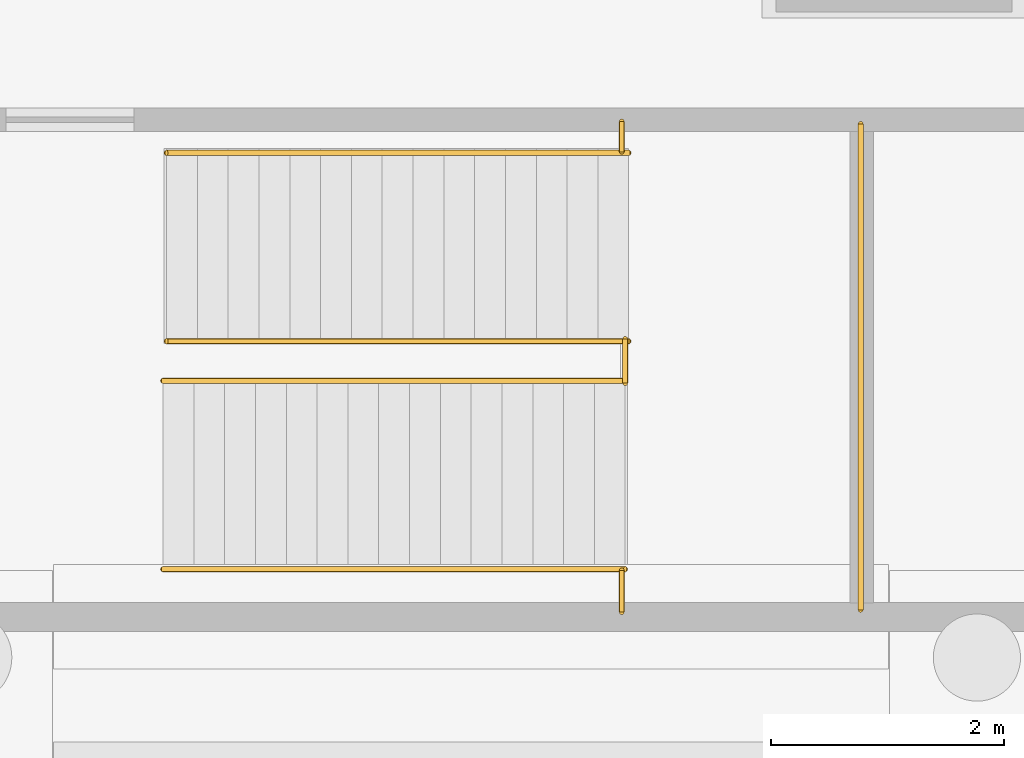
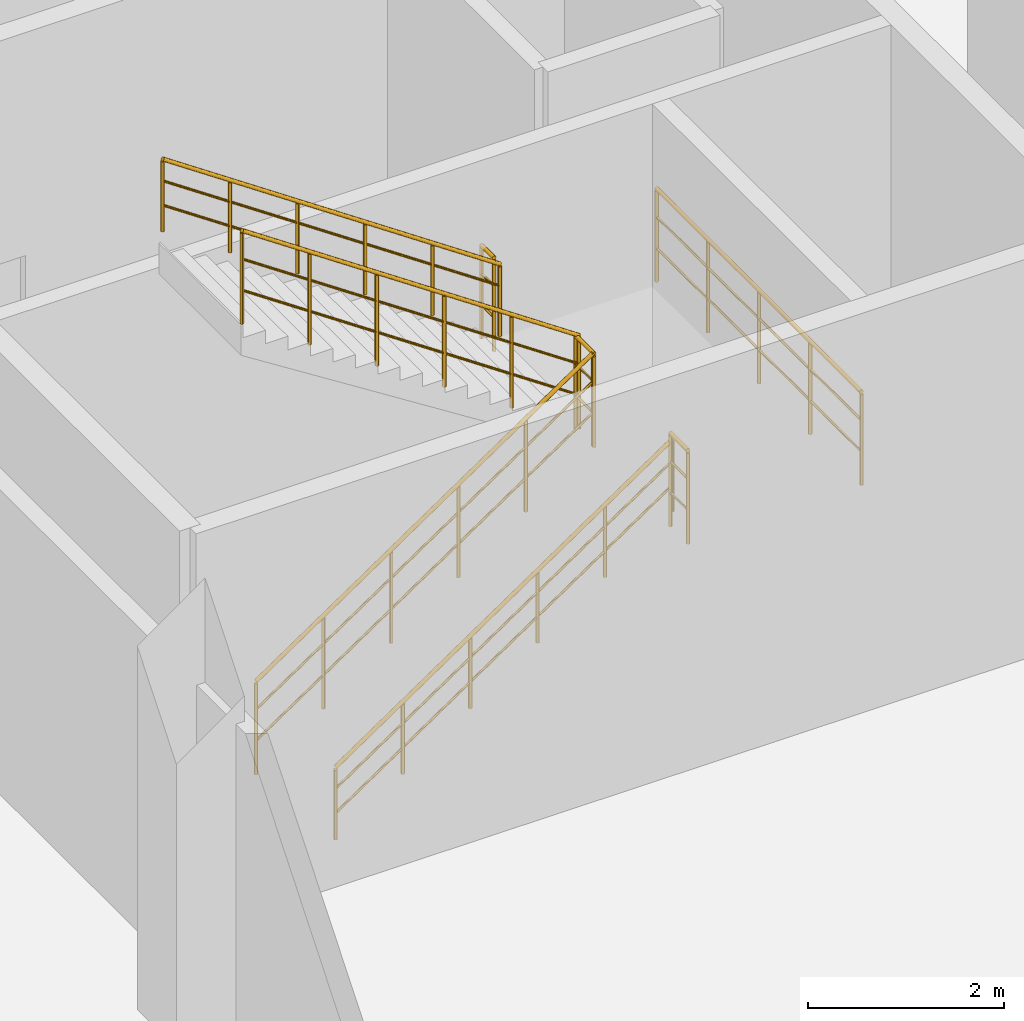
# One storey, part 37 of 42: 8 railings.
"""IFC4 building model written with IfcOpenShell, lengths in metres."""

from ifc_helpers import new_model, si_unit, direction, frame, origin, origin_2d, place, context, subcontext, project, spatial, circle, extrude, material, layer, layer_set, type_object, element, save


model = new_model("IFC4")

# Units and contexts
model_context = context("Model", 3, precision=1e-05, world=origin(), true_north=direction((0.0, 1.0)))
body_context = subcontext(model_context, "Body", "Model", "MODEL_VIEW")
ifc_project = project(units=[si_unit("LENGTHUNIT", "METRE"), si_unit("AREAUNIT", "SQUARE_METRE"), si_unit("VOLUMEUNIT", "CUBIC_METRE"), si_unit("PLANEANGLEUNIT", "RADIAN"), si_unit("MASSUNIT", "GRAM", prefix="KILO"), si_unit("THERMODYNAMICTEMPERATUREUNIT", "KELVIN"), si_unit("POWERUNIT", "WATT")], contexts=[model_context])

# Site, building, storey
site_placement = place(None, origin())
site = spatial("IfcSite", under=ifc_project, at=site_placement, CompositionType="ELEMENT")
building_placement = place(site_placement, origin())
building = spatial("IfcBuilding", under=site, at=building_placement, Name="Solmara Park Aquatics Centre", CompositionType="ELEMENT")
storey_placement = place(building_placement, frame((0.0, 0.0, -5.39990234375)))
storey = spatial("IfcBuildingStorey", under=building, at=storey_placement, Name="B1", CompositionType="ELEMENT", Elevation=-5.39990234375)

# Railings
ifc_material_1 = material(Name="Brushed Marine-Grade Stainless Steel 316L Handrail", Category="steel")
ifc_layer_1 = layer(ifc_material_1, 0.044921875, Name="Brushed Marine-Grade Stainless Steel 316L Handrail")
ifc_layer_set_1 = layer_set([ifc_layer_1], Name="Brushed Marine-Grade Stainless Steel 316L Handrail")
railing_type_1 = type_object("IfcRailingType", Name="ARC-RL-HND090", PredefinedType="HANDRAIL", material=ifc_layer_set_1)
railing_1_placement = place(storey_placement, frame((111.949951171875, 38.409912109375, 0.168701171875)))
element("IfcRailing", 1, at=railing_1_placement, inside=storey, type_object=railing_type_1, Name="ST-03 Protected Exit Stair (B1 to L00) Flight 1 Outer Handrail", PredefinedType="HANDRAIL", context=body_context, shape_type="SweptSolid", body=[
    extrude(circle(Radius=0.02392578125, at=origin_2d()), frame((0.0, 0.0, 0.89599609375), z_axis=(0.827227830126, 0.0, 0.561866636369), x_axis=(0.0, 1.0, 0.0)), (0.0, 0.0, 1.0), 4.805419921875),
    extrude(circle(Radius=0.01416015625, at=origin_2d()), frame((0.0, 0.0, 0.322021484375), z_axis=(0.827227830126, 0.0, 0.561866636369), x_axis=(0.0, 1.0, 0.0)), (0.0, 0.0, 1.0), 4.805419921875),
    extrude(circle(Radius=0.01416015625, at=origin_2d()), frame((0.0, 0.0, 0.62548828125), z_axis=(0.827227830126, 0.0, 0.561866636369), x_axis=(0.0, 1.0, 0.0)), (0.0, 0.0, 1.0), 4.805419921875),
    extrude(circle(Radius=0.02099609375, at=origin_2d()), origin(), (0.0, 0.0, 1.0), 0.871826171875),
    extrude(circle(Radius=0.02099609375, at=origin_2d()), frame((0.794921875, 0.0, 0.5400390625)), (0.0, 0.0, 1.0), 0.871826171875),
    extrude(circle(Radius=0.02099609375, at=origin_2d()), frame((1.590087890625, 0.0, 1.080078125)), (0.0, 0.0, 1.0), 0.871826171875),
    extrude(circle(Radius=0.02099609375, at=origin_2d()), frame((2.385009765625, 0.0, 1.619873046875)), (0.0, 0.0, 1.0), 0.871826171875),
    extrude(circle(Radius=0.02099609375, at=origin_2d()), frame((3.18017578125, 0.0, 2.159912109375)), (0.0, 0.0, 1.0), 0.871826171875),
    extrude(circle(Radius=0.02099609375, at=origin_2d()), frame((3.97509765625, 0.0, 2.699951171875)), (0.0, 0.0, 1.0), 0.871826171875),
])
railing_2_placement = place(storey_placement, frame((115.955078125, 41.989990234375, 2.86865234375)))
element("IfcRailing", 2, at=railing_2_placement, inside=storey, type_object=railing_type_1, Name="ST-03 Protected Exit Stair (B1 to L00) Flight 2 Outer Handrail", PredefinedType="HANDRAIL", context=body_context, shape_type="SweptSolid", body=[
    extrude(circle(Radius=0.02392578125, at=origin_2d()), frame((0.0, 0.0, 0.89599609375), z_axis=(-0.827227830126, 0.0, 0.561866636369), x_axis=(0.0, -1.0, 0.0)), (0.0, 0.0, 1.0), 4.805419921875),
    extrude(circle(Radius=0.01416015625, at=origin_2d()), frame((0.0, 0.0, 0.322021484375), z_axis=(-0.827227830126, 0.0, 0.561866636369), x_axis=(0.0, -1.0, 0.0)), (0.0, 0.0, 1.0), 4.805419921875),
    extrude(circle(Radius=0.01416015625, at=origin_2d()), frame((0.0, 0.0, 0.62548828125), z_axis=(-0.827227830126, 0.0, 0.561866636369), x_axis=(0.0, -1.0, 0.0)), (0.0, 0.0, 1.0), 4.805419921875),
    extrude(circle(Radius=0.02099609375, at=origin_2d()), origin(), (0.0, 0.0, 1.0), 0.871826171875),
    extrude(circle(Radius=0.02099609375, at=origin_2d()), frame((-0.794921875, 0.0, 0.5400390625)), (0.0, 0.0, 1.0), 0.871826171875),
    extrude(circle(Radius=0.02099609375, at=origin_2d()), frame((-1.590087890625, 0.0, 1.080078125)), (0.0, 0.0, 1.0), 0.871826171875),
    extrude(circle(Radius=0.02099609375, at=origin_2d()), frame((-2.385009765625, 0.0, 1.619873046875)), (0.0, 0.0, 1.0), 0.871826171875),
    extrude(circle(Radius=0.02099609375, at=origin_2d()), frame((-3.18017578125, 0.0, 2.159912109375)), (0.0, 0.0, 1.0), 0.871826171875),
    extrude(circle(Radius=0.02099609375, at=origin_2d()), frame((-3.97509765625, 0.0, 2.699951171875)), (0.0, 0.0, 1.0), 0.871826171875),
])
ifc_material_2 = material(Name="Brushed Stainless Steel Guardrail", Category="steel")
ifc_layer_2 = layer(ifc_material_2, 0.050048828125, Name="Brushed Stainless Steel Guardrail")
ifc_layer_set_2 = layer_set([ifc_layer_2], Name="Brushed Stainless Steel Guardrail")
railing_type_2 = type_object("IfcRailingType", Name="ARC-RL-STR110", PredefinedType="GUARDRAIL", material=ifc_layer_set_2)
railing_3_placement = place(storey_placement, frame((111.949951171875, 40.030029296875, 0.0)))
element("IfcRailing", 3, at=railing_3_placement, inside=storey, type_object=railing_type_2, Name="ST-03 Protected Exit Stair (B1 to L00) Flight 1 Inner Guardrail", PredefinedType="GUARDRAIL", context=body_context, shape_type="SweptSolid", body=[
    extrude(circle(Radius=0.02392578125, at=origin_2d()), frame((0.0, 0.0, 1.15576171875), z_axis=(0.827227830126, 0.0, 0.561866636369), x_axis=(0.0, 1.0, 0.0)), (0.0, 0.0, 1.0), 4.805419921875),
    extrude(circle(Radius=0.01416015625, at=origin_2d()), frame((0.0, 0.0, 0.4130859375), z_axis=(0.827227830126, 0.0, 0.561866636369), x_axis=(0.0, 1.0, 0.0)), (0.0, 0.0, 1.0), 4.805419921875),
    extrude(circle(Radius=0.01416015625, at=origin_2d()), frame((0.0, 0.0, 0.80224609375), z_axis=(0.827227830126, 0.0, 0.561866636369), x_axis=(0.0, 1.0, 0.0)), (0.0, 0.0, 1.0), 4.805419921875),
    extrude(circle(Radius=0.02099609375, at=origin_2d()), origin(), (0.0, 0.0, 1.0), 1.1318359375),
    extrude(circle(Radius=0.02099609375, at=origin_2d()), frame((0.794921875, 0.0, 0.5400390625)), (0.0, 0.0, 1.0), 1.1318359375),
    extrude(circle(Radius=0.02099609375, at=origin_2d()), frame((1.590087890625, 0.0, 1.080078125)), (0.0, 0.0, 1.0), 1.1318359375),
    extrude(circle(Radius=0.02099609375, at=origin_2d()), frame((2.385009765625, 0.0, 1.619873046875)), (0.0, 0.0, 1.0), 1.1318359375),
    extrude(circle(Radius=0.02099609375, at=origin_2d()), frame((3.18017578125, 0.0, 2.159912109375)), (0.0, 0.0, 1.0), 1.1318359375),
    extrude(circle(Radius=0.02099609375, at=origin_2d()), frame((3.97509765625, 0.0, 2.699951171875)), (0.0, 0.0, 1.0), 1.1318359375),
])
railing_4_placement = place(storey_placement, frame((115.955078125, 40.3701171875, 2.699951171875)))
element("IfcRailing", 4, at=railing_4_placement, inside=storey, type_object=railing_type_2, Name="ST-03 Protected Exit Stair (B1 to L00) Flight 2 Inner Guardrail", PredefinedType="GUARDRAIL", context=body_context, shape_type="SweptSolid", body=[
    extrude(circle(Radius=0.02392578125, at=origin_2d()), frame((0.0, 0.0, 1.15576171875), z_axis=(-0.827227830126, 0.0, 0.561866636369), x_axis=(0.0, -1.0, 0.0)), (0.0, 0.0, 1.0), 4.805419921875),
    extrude(circle(Radius=0.01416015625, at=origin_2d()), frame((0.0, 0.0, 0.4130859375), z_axis=(-0.827227830126, 0.0, 0.561866636369), x_axis=(0.0, -1.0, 0.0)), (0.0, 0.0, 1.0), 4.805419921875),
    extrude(circle(Radius=0.01416015625, at=origin_2d()), frame((0.0, 0.0, 0.80224609375), z_axis=(-0.827227830126, 0.0, 0.561866636369), x_axis=(0.0, -1.0, 0.0)), (0.0, 0.0, 1.0), 4.805419921875),
    extrude(circle(Radius=0.02099609375, at=origin_2d()), origin(), (0.0, 0.0, 1.0), 1.1318359375),
    extrude(circle(Radius=0.02099609375, at=origin_2d()), frame((-0.794921875, 0.0, 0.5400390625)), (0.0, 0.0, 1.0), 1.1318359375),
    extrude(circle(Radius=0.02099609375, at=origin_2d()), frame((-1.590087890625, 0.0, 1.080078125)), (0.0, 0.0, 1.0), 1.1318359375),
    extrude(circle(Radius=0.02099609375, at=origin_2d()), frame((-2.385009765625, 0.0, 1.619873046875)), (0.0, 0.0, 1.0), 1.1318359375),
    extrude(circle(Radius=0.02099609375, at=origin_2d()), frame((-3.18017578125, 0.0, 2.159912109375)), (0.0, 0.0, 1.0), 1.1318359375),
    extrude(circle(Radius=0.02099609375, at=origin_2d()), frame((-3.97509765625, 0.0, 2.699951171875)), (0.0, 0.0, 1.0), 1.1318359375),
])
railing_5_placement = place(storey_placement, frame((115.925048828125, 40.010009765625, 2.699951171875)))
element("IfcRailing", 5, at=railing_5_placement, inside=storey, type_object=railing_type_2, Name="ST-03 Protected Exit Stair (B1 to L00) Half-Landing Well Guardrail", PredefinedType="GUARDRAIL", context=body_context, shape_type="SweptSolid", body=[
    extrude(circle(Radius=0.02392578125, at=origin_2d()), frame((0.0, 0.0, 1.15576171875), z_axis=(0.0, 1.0, 0.0), x_axis=(-1.0, 0.0, 0.0)), (0.0, 0.0, 1.0), 0.3798828125),
    extrude(circle(Radius=0.01416015625, at=origin_2d()), frame((0.0, 0.0, 0.4130859375), z_axis=(0.0, 1.0, 0.0), x_axis=(-1.0, 0.0, 0.0)), (0.0, 0.0, 1.0), 0.3798828125),
    extrude(circle(Radius=0.01416015625, at=origin_2d()), frame((0.0, 0.0, 0.80224609375), z_axis=(0.0, 1.0, 0.0), x_axis=(-1.0, 0.0, 0.0)), (0.0, 0.0, 1.0), 0.3798828125),
    extrude(circle(Radius=0.02099609375, at=origin_2d()), origin(), (0.0, 0.0, 1.0), 1.1318359375),
    extrude(circle(Radius=0.02099609375, at=origin_2d()), frame((0.0, 0.3798828125, 0.0)), (0.0, 0.0, 1.0), 1.1318359375),
])
railing_6_placement = place(storey_placement, frame((115.89501953125, 38.0400390625, 2.699951171875)))
element("IfcRailing", 6, at=railing_6_placement, inside=storey, type_object=railing_type_2, Name="ST-03 Protected Exit Stair (B1 to L00) Half-Landing South Slot Guardrail", PredefinedType="GUARDRAIL", context=body_context, shape_type="SweptSolid", body=[
    extrude(circle(Radius=0.02392578125, at=origin_2d()), frame((0.0, 0.0, 1.15576171875), z_axis=(0.0, 1.0, 0.0), x_axis=(-1.0, 0.0, 0.0)), (0.0, 0.0, 1.0), 0.35986328125),
    extrude(circle(Radius=0.01416015625, at=origin_2d()), frame((0.0, 0.0, 0.4130859375), z_axis=(0.0, 1.0, 0.0), x_axis=(-1.0, 0.0, 0.0)), (0.0, 0.0, 1.0), 0.35986328125),
    extrude(circle(Radius=0.01416015625, at=origin_2d()), frame((0.0, 0.0, 0.80224609375), z_axis=(0.0, 1.0, 0.0), x_axis=(-1.0, 0.0, 0.0)), (0.0, 0.0, 1.0), 0.35986328125),
    extrude(circle(Radius=0.02099609375, at=origin_2d()), origin(), (0.0, 0.0, 1.0), 1.1318359375),
    extrude(circle(Radius=0.02099609375, at=origin_2d()), frame((0.0, 0.35986328125, 0.0)), (0.0, 0.0, 1.0), 1.1318359375),
])
railing_7_placement = place(storey_placement, frame((115.89501953125, 42.0, 2.699951171875)))
element("IfcRailing", 7, at=railing_7_placement, inside=storey, type_object=railing_type_2, Name="ST-03 Protected Exit Stair (B1 to L00) Half-Landing North Slot Guardrail", PredefinedType="GUARDRAIL", context=body_context, shape_type="SweptSolid", body=[
    extrude(circle(Radius=0.02392578125, at=origin_2d()), frame((0.0, 0.0, 1.15576171875), z_axis=(0.0, 1.0, 0.0), x_axis=(-1.0, 0.0, 0.0)), (0.0, 0.0, 1.0), 0.260009765625),
    extrude(circle(Radius=0.01416015625, at=origin_2d()), frame((0.0, 0.0, 0.4130859375), z_axis=(0.0, 1.0, 0.0), x_axis=(-1.0, 0.0, 0.0)), (0.0, 0.0, 1.0), 0.260009765625),
    extrude(circle(Radius=0.01416015625, at=origin_2d()), frame((0.0, 0.0, 0.80224609375), z_axis=(0.0, 1.0, 0.0), x_axis=(-1.0, 0.0, 0.0)), (0.0, 0.0, 1.0), 0.260009765625),
    extrude(circle(Radius=0.02099609375, at=origin_2d()), origin(), (0.0, 0.0, 1.0), 1.1318359375),
    extrude(circle(Radius=0.02099609375, at=origin_2d()), frame((0.0, 0.260009765625, 0.0)), (0.0, 0.0, 1.0), 1.1318359375),
])
railing_8_placement = place(storey_placement, frame((117.949951171875, 38.06005859375, 2.699951171875)))
element("IfcRailing", 8, at=railing_8_placement, inside=storey, type_object=railing_type_2, Name="ST-03 Protected Exit Stair (B1 to L00) Half-Landing Outer Guardrail", PredefinedType="GUARDRAIL", context=body_context, shape_type="SweptSolid", body=[
    extrude(circle(Radius=0.02392578125, at=origin_2d()), frame((0.0, 0.0, 1.15576171875), z_axis=(0.0, 1.0, 0.0), x_axis=(-1.0, 0.0, 0.0)), (0.0, 0.0, 1.0), 4.179931640625),
    extrude(circle(Radius=0.01416015625, at=origin_2d()), frame((0.0, 0.0, 0.4130859375), z_axis=(0.0, 1.0, 0.0), x_axis=(-1.0, 0.0, 0.0)), (0.0, 0.0, 1.0), 4.179931640625),
    extrude(circle(Radius=0.01416015625, at=origin_2d()), frame((0.0, 0.0, 0.80224609375), z_axis=(0.0, 1.0, 0.0), x_axis=(-1.0, 0.0, 0.0)), (0.0, 0.0, 1.0), 4.179931640625),
    extrude(circle(Radius=0.02099609375, at=origin_2d()), origin(), (0.0, 0.0, 1.0), 1.1318359375),
    extrude(circle(Radius=0.02099609375, at=origin_2d()), frame((0.0, 1.044921875, 0.0)), (0.0, 0.0, 1.0), 1.1318359375),
    extrude(circle(Radius=0.02099609375, at=origin_2d()), frame((0.0, 2.08984375, 0.0)), (0.0, 0.0, 1.0), 1.1318359375),
    extrude(circle(Radius=0.02099609375, at=origin_2d()), frame((0.0, 3.135009765625, 0.0)), (0.0, 0.0, 1.0), 1.1318359375),
    extrude(circle(Radius=0.02099609375, at=origin_2d()), frame((0.0, 4.179931640625, 0.0)), (0.0, 0.0, 1.0), 1.1318359375),
])

save(model, "model.ifc")
